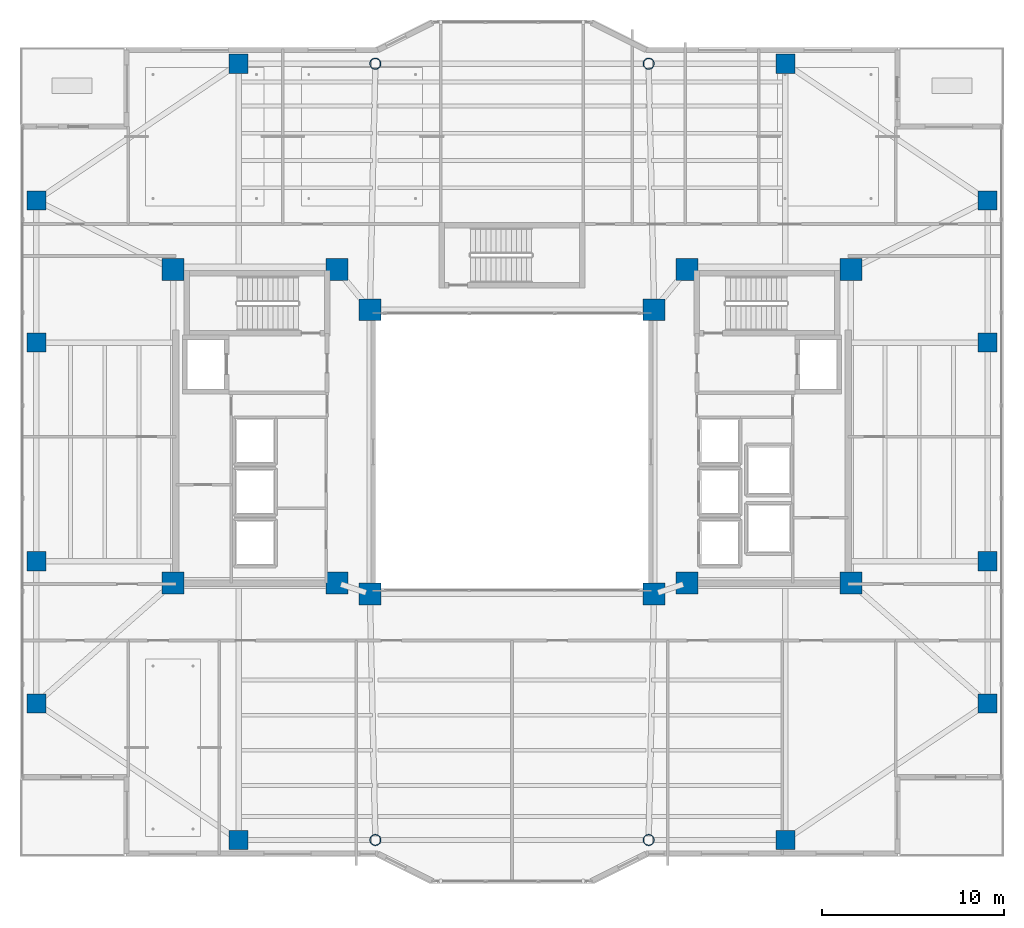
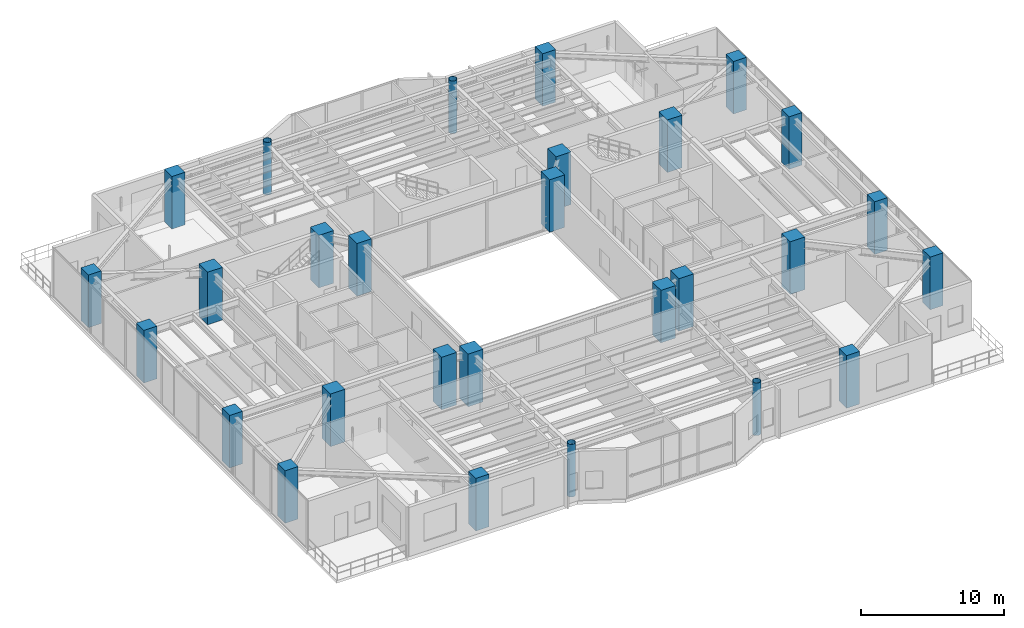
# One storey, part 1 of 38: 28 columns.
"""IFC4 building model written with IfcOpenShell, lengths in metres."""

from ifc_helpers import new_model, si_unit, direction, frame, origin, origin_2d, place, context, subcontext, project, spatial, rectangle, hollow_circle, extrude, material, material_profile, profile_set, type_object, element, save


model = new_model("IFC4")

# Units and contexts
model_context = context("Model", 3, precision=1e-05, world=origin(), true_north=direction((0.0, 1.0)))
body_context = subcontext(model_context, "Body", "Model", "MODEL_VIEW")
ifc_project = project(units=[si_unit("LENGTHUNIT", "METRE"), si_unit("AREAUNIT", "SQUARE_METRE"), si_unit("VOLUMEUNIT", "CUBIC_METRE"), si_unit("PLANEANGLEUNIT", "RADIAN"), si_unit("MASSUNIT", "GRAM", prefix="KILO")], contexts=[model_context])

# Site, building, storey
site_placement = place(None, origin())
site = spatial("IfcSite", under=ifc_project, at=site_placement, CompositionType="ELEMENT")
building_placement = place(site_placement, origin())
building = spatial("IfcBuilding", under=site, at=building_placement, Name="Tarnavaz Court Tower", CompositionType="ELEMENT")
storey_placement = place(building_placement, frame((0.0, 0.0, 123.0)))
storey = spatial("IfcBuildingStorey", under=building, at=storey_placement, Name="L33", CompositionType="ELEMENT", Elevation=123.0)

# Columns
ifc_material_1 = material(Name="Concrete C60/75", Category="concrete")
ifc_material_profile_1 = material_profile(ifc_material_1, rectangle(XDim=1.050048828125, YDim=1.050048828125, at=origin_2d()), Name="RC 1050X1050")
ifc_profile_set_1 = profile_set([ifc_material_profile_1], Name="Concrete C60/75")
column_type_1 = type_object("IfcColumnType", Name="CL-RC1050", PredefinedType="COLUMN", material=ifc_profile_set_1)
for number, where, z_axis, x_axis, name in (
    (1, (-15.0, 21.300048828125, 0.0), (0.0, 0.0, 1.0), (1.0, 0.0, 0.0), "L33 Column PN-1"),
    (2, (15.0, 21.300048828125, 0.0), (0.0, 0.0, 1.0), (1.0, 0.0, 0.0), "L33 Column PN-4"),
    (3, (-15.0, -21.300048828125, 0.0), (0.0, 0.0, 1.0), (1.0, 0.0, 0.0), "L33 Column PS-1"),
    (4, (15.0, -21.300048828125, 0.0), (0.0, 0.0, 1.0), (1.0, 0.0, 0.0), "L33 Column PS-4"),
    (5, (26.10009765625, -13.800048828125, 0.0), (0.0, 0.0, 1.0), (1.0, 0.0, 0.0), "L33 Column PE-1"),
    (6, (26.10009765625, -6.0, 0.0), (0.0, 0.0, 1.0), (1.0, 0.0, 0.0), "L33 Column PE-2"),
    (7, (26.10009765625, 6.0, 0.0), (0.0, 0.0, 1.0), (1.0, 0.0, 0.0), "L33 Column PE-3"),
    (8, (26.10009765625, 13.800048828125, 0.0), (0.0, 0.0, 1.0), (1.0, 0.0, 0.0), "L33 Column PE-4"),
    (9, (-26.10009765625, -13.800048828125, 0.0), (0.0, 0.0, 1.0), (1.0, 0.0, 0.0), "L33 Column PW-1"),
    (10, (-26.10009765625, -6.0, 0.0), (0.0, 0.0, 1.0), (1.0, 0.0, 0.0), "L33 Column PW-2"),
    (11, (-26.10009765625, 6.0, 0.0), (0.0, 0.0, 1.0), (1.0, 0.0, 0.0), "L33 Column PW-3"),
    (12, (-26.10009765625, 13.800048828125, 0.0), (0.0, 0.0, 1.0), (1.0, 0.0, 0.0), "L33 Column PW-4"),
):
    element("IfcColumn", number, at=place(storey_placement, frame(where, z_axis=z_axis, x_axis=x_axis)), inside=storey, type_object=column_type_1, Name=name, PredefinedType="COLUMN", context=body_context, shape_type="SweptSolid", body=[
        extrude(rectangle(XDim=1.050048828125, YDim=1.050048828125, at=origin_2d()), origin(), (0.0, 0.0, 1.0), 4.5),
    ])
ifc_material_profile_2 = material_profile(ifc_material_1, rectangle(XDim=1.199951171875, YDim=1.199951171875, at=origin_2d()), Name="RC 1200X1200")
ifc_profile_set_2 = profile_set([ifc_material_profile_2], Name="Concrete C60/75")
column_type_2 = type_object("IfcColumnType", Name="CL-RC1200", PredefinedType="COLUMN", material=ifc_profile_set_2)
for number, where, z_axis, x_axis, name in (
    (13, (-7.800048828125, -7.800048828125, 0.0), (0.0, 0.0, 1.0), (1.0, 0.0, 0.0), "L33 Column IW-SW"),
    (14, (7.800048828125, -7.800048828125, 0.0), (0.0, 0.0, 1.0), (1.0, 0.0, 0.0), "L33 Column IW-SE"),
    (15, (-7.800048828125, 7.800048828125, 0.0), (0.0, 0.0, 1.0), (1.0, 0.0, 0.0), "L33 Column IW-NW"),
    (16, (7.800048828125, 7.800048828125, 0.0), (0.0, 0.0, 1.0), (1.0, 0.0, 0.0), "L33 Column IW-NE"),
    (17, (-9.60009765625, -7.199951171875, 0.0), (0.0, 0.0, 1.0), (1.0, 0.0, 0.0), "L33 Column CW-SI"),
    (18, (-9.60009765625, 10.0, 0.0), (0.0, 0.0, 1.0), (1.0, 0.0, 0.0), "L33 Column CW-NI"),
    (19, (9.60009765625, -7.199951171875, 0.0), (0.0, 0.0, 1.0), (1.0, 0.0, 0.0), "L33 Column CE-SI"),
    (20, (9.60009765625, 10.0, 0.0), (0.0, 0.0, 1.0), (1.0, 0.0, 0.0), "L33 Column CE-NI"),
    (21, (-18.60009765625, -7.199951171875, 0.0), (0.0, 0.0, 1.0), (1.0, 0.0, 0.0), "L33 Column CW-SO"),
    (22, (-18.60009765625, 10.0, 0.0), (0.0, 0.0, 1.0), (1.0, 0.0, 0.0), "L33 Column CW-NO"),
    (23, (18.60009765625, -7.199951171875, 0.0), (0.0, 0.0, 1.0), (1.0, 0.0, 0.0), "L33 Column CE-SO"),
    (24, (18.60009765625, 10.0, 0.0), (0.0, 0.0, 1.0), (1.0, 0.0, 0.0), "L33 Column CE-NO"),
):
    element("IfcColumn", number, at=place(storey_placement, frame(where, z_axis=z_axis, x_axis=x_axis)), inside=storey, type_object=column_type_2, Name=name, PredefinedType="COLUMN", context=body_context, shape_type="SweptSolid", body=[
        extrude(rectangle(XDim=1.199951171875, YDim=1.199951171875, at=origin_2d()), origin(), (0.0, 0.0, 1.0), 4.5),
    ])
ifc_material_2 = material(Name="Steel S460", Category="steel")
ifc_material_profile_3 = material_profile(ifc_material_2, hollow_circle(Radius=0.304931640625, WallThickness=0.02490234375, at=origin_2d()), Name="CHS 610X25")
ifc_profile_set_3 = profile_set([ifc_material_profile_3], Name="Steel S460")
column_type_3 = type_object("IfcColumnType", Name="CL-S460-CHS610", PredefinedType="COLUMN", material=ifc_profile_set_3)
for number, where, z_axis, x_axis, name in (
    (25, (-7.5, 21.300048828125, 0.0), (0.0, 0.0, 1.0), (1.0, 0.0, 0.0), "L33 Column PN-2"),
    (26, (7.5, 21.300048828125, 0.0), (0.0, 0.0, 1.0), (1.0, 0.0, 0.0), "L33 Column PN-3"),
    (27, (-7.5, -21.300048828125, 0.0), (0.0, 0.0, 1.0), (1.0, 0.0, 0.0), "L33 Column PS-2"),
    (28, (7.5, -21.300048828125, 0.0), (0.0, 0.0, 1.0), (1.0, 0.0, 0.0), "L33 Column PS-3"),
):
    element("IfcColumn", number, at=place(storey_placement, frame(where, z_axis=z_axis, x_axis=x_axis)), inside=storey, type_object=column_type_3, Name=name, PredefinedType="COLUMN", context=body_context, shape_type="SweptSolid", body=[
        extrude(hollow_circle(Radius=0.304931640625, WallThickness=0.02490234375, at=origin_2d()), origin(), (0.0, 0.0, 1.0), 4.5),
    ])

save(model, "model.ifc")
